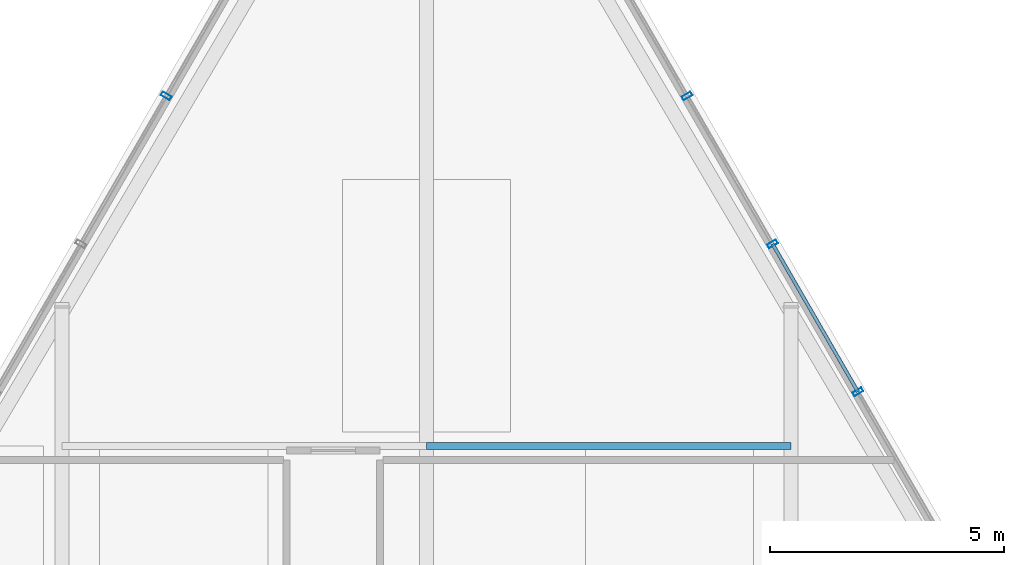
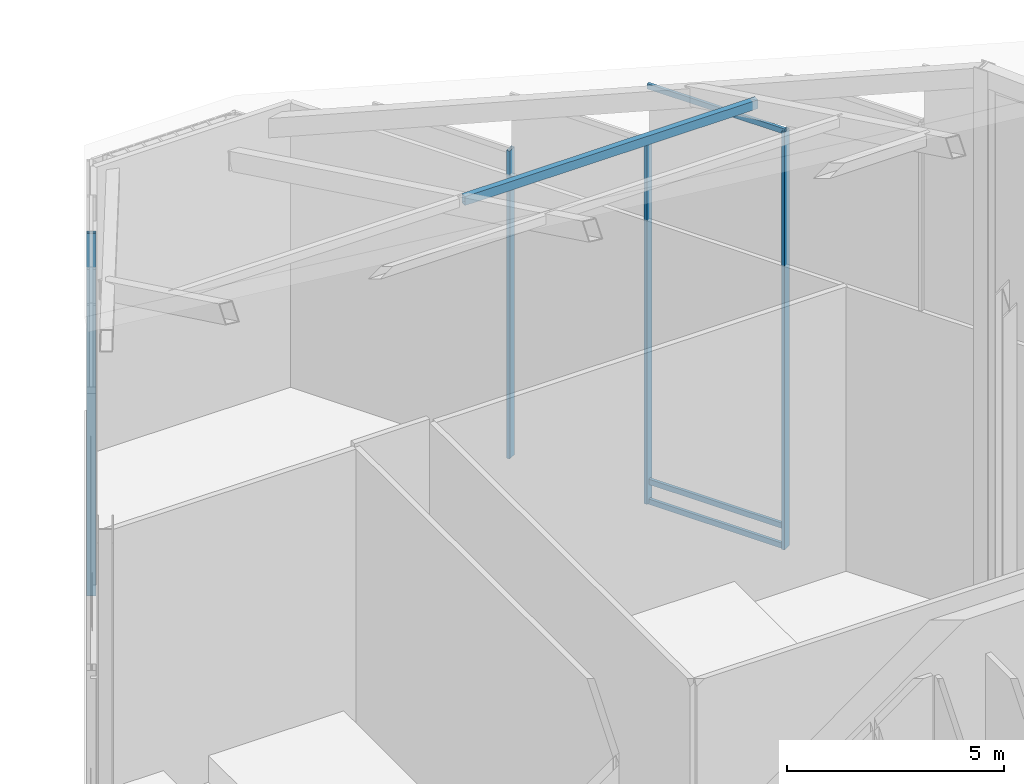
# One storey, part 21 of 36: 8 members, 4 elements without a shape of their own.
"""IFC4 building model written with IfcOpenShell, lengths in metres."""

from ifc_helpers import new_model, si_unit, direction, frame, origin, origin_2d, place, context, subcontext, project, spatial, hollow_rectangle, extrude, material, layer, layer_set, material_profile, profile_set, type_object, element, aggregate, save


model = new_model("IFC4")

# Units and contexts
model_context = context("Model", 3, precision=1e-05, world=origin(), true_north=direction((0.0, 1.0)))
body_context = subcontext(model_context, "Body", "Model", "MODEL_VIEW")
ifc_project = project(units=[si_unit("LENGTHUNIT", "METRE"), si_unit("AREAUNIT", "SQUARE_METRE"), si_unit("VOLUMEUNIT", "CUBIC_METRE"), si_unit("PLANEANGLEUNIT", "RADIAN"), si_unit("MASSUNIT", "GRAM", prefix="KILO")], contexts=[model_context])

# Site, building, storey
site_placement = place(None, origin())
site = spatial("IfcSite", under=ifc_project, at=site_placement, CompositionType="ELEMENT")
building_placement = place(site_placement, origin())
building = spatial("IfcBuilding", under=site, at=building_placement, Name="Ndaravel Arena Tower", CompositionType="ELEMENT")
storey_placement = place(building_placement, frame((0.0, 0.0, 308.10009765625)))
storey = spatial("IfcBuildingStorey", under=building, at=storey_placement, Name="Roof Crown", CompositionType="ELEMENT", Elevation=308.10009765625)

# Member
ifc_material_1 = material(Name="Steel S355", Category="steel")
ifc_material_profile_1 = material_profile(ifc_material_1, hollow_rectangle(XDim=0.14990234375, YDim=0.25, WallThickness=0.010009765625, at=origin_2d()), Name="RHS 250x150x10")
ifc_profile_set_1 = profile_set([ifc_material_profile_1], Name="Steel S355")
member_type_1 = type_object("IfcMemberType", Name="MEM-CRN-PURLIN2", PredefinedType="PURLIN", material=ifc_profile_set_1)
member_1_placement = place(storey_placement, frame((42.0, 29.5, 13.716552734375), z_axis=(1.0, 0.0, 0.0), x_axis=(0.0, 1.0, 0.0)))
element("IfcMember", 1, at=member_1_placement, inside=storey, type_object=member_type_1, Name="Crown Roof Purlin East CRP-B5", PredefinedType="PURLIN", context=body_context, shape_type="SweptSolid", body=[
    extrude(hollow_rectangle(XDim=0.14990234375, YDim=0.25, WallThickness=0.010009765625, at=origin_2d()), origin(), (0.0, 0.0, 1.0), 7.800048828125),
])

# Curtain wall, member
ifc_material_2 = material(Name="Aluminium", Category="aluminium")
ifc_layer = layer(ifc_material_2, 0.179931640625)
ifc_layer_set = layer_set([ifc_layer], Name="Aluminium")
curtain_wall_type = type_object("IfcCurtainWallType", Name="CW-SYS-06", PredefinedType="NOTDEFINED", material=ifc_layer_set)
curtain_wall_1_placement = place(storey_placement, origin())
curtain_wall_1 = element("IfcCurtainWall", 2, at=curtain_wall_1_placement, inside=storey, type_object=curtain_wall_type, Name="Roof Crown Sloped Crown Lantern Curtain Wall CW-CROWN-E03-S08", PredefinedType="NOTDEFINED")
ifc_material_3 = material(Name="Aluminium", Category="aluminium")
ifc_material_profile_2 = material_profile(ifc_material_3, hollow_rectangle(XDim=0.090087890625, YDim=0.219970703125, WallThickness=0.0048828125, at=origin_2d()), Name="CW MULLION 90x220x5")
ifc_profile_set_2 = profile_set([ifc_material_profile_2], Name="Aluminium")
member_type_2 = type_object("IfcMemberType", Name="MEM-CW-MUL220", PredefinedType="MULLION", material=ifc_profile_set_2)
member_2_placement = place(storey_placement, frame((51.234375, 30.65625, 0.0), z_axis=(0.0, 0.0, 1.0), x_axis=(-0.499984884929, 0.866034130299, 0.0)))
member_2 = element("IfcMember", 3, at=member_2_placement, type_object=member_type_2, Name="CW-CROWN-E03-S08 Mullion 00", PredefinedType="MULLION", context=body_context, shape_type="SweptSolid", body=[
    extrude(hollow_rectangle(XDim=0.090087890625, YDim=0.219970703125, WallThickness=0.0048828125, at=origin_2d()), origin(), (0.0, 0.0, 1.0), 11.7529296875),
])

curtain_wall_2_placement = place(storey_placement, origin())
curtain_wall_2 = element("IfcCurtainWall", 4, at=curtain_wall_2_placement, inside=storey, type_object=curtain_wall_type, Name="Roof Crown Sloped Crown Lantern Curtain Wall CW-CROWN-E03-S09", PredefinedType="NOTDEFINED")
member_3_placement = place(storey_placement, frame((49.40576171875, 33.823486328125, 0.0), z_axis=(0.0, 0.0, 1.0), x_axis=(-0.499984884929, 0.866034130299, 0.0)))
member_3 = element("IfcMember", 5, at=member_3_placement, type_object=member_type_2, Name="CW-CROWN-E03-S09 Mullion 00", PredefinedType="MULLION", context=body_context, shape_type="SweptSolid", body=[
    extrude(hollow_rectangle(XDim=0.090087890625, YDim=0.219970703125, WallThickness=0.0048828125, at=origin_2d()), origin(), (0.0, 0.0, 1.0), 10.2080078125),
])
aggregate(curtain_wall_2, [member_3])

curtain_wall_3_placement = place(storey_placement, origin())
curtain_wall_3 = element("IfcCurtainWall", 6, at=curtain_wall_3_placement, inside=storey, type_object=curtain_wall_type, Name="Roof Crown Sloped Crown Lantern Curtain Wall CW-CROWN-E03-S10", PredefinedType="NOTDEFINED")
member_4_placement = place(storey_placement, frame((47.5771484375, 36.99072265625, 0.0), z_axis=(0.0, 0.0, 1.0), x_axis=(-0.500015114919, 0.866016677006, 0.0)))
member_4 = element("IfcMember", 7, at=member_4_placement, type_object=member_type_2, Name="CW-CROWN-E03-S10 Mullion 00", PredefinedType="MULLION", context=body_context, shape_type="SweptSolid", body=[
    extrude(hollow_rectangle(XDim=0.090087890625, YDim=0.219970703125, WallThickness=0.0048828125, at=origin_2d()), origin(), (0.0, 0.0, 1.0), 8.663330078125),
])
aggregate(curtain_wall_3, [member_4])

curtain_wall_4_placement = place(storey_placement, origin())
curtain_wall_4 = element("IfcCurtainWall", 8, at=curtain_wall_4_placement, inside=storey, type_object=curtain_wall_type, Name="Roof Crown Sloped Crown Lantern Curtain Wall CW-CROWN-E05-S03", PredefinedType="NOTDEFINED")
member_5_placement = place(storey_placement, frame((36.4228515625, 36.99072265625, 0.0), z_axis=(0.0, 0.0, 1.0), x_axis=(-0.499984884929, -0.866034130299, 0.0)))
member_5 = element("IfcMember", 9, at=member_5_placement, type_object=member_type_2, Name="CW-CROWN-E05-S03 Mullion 00", PredefinedType="MULLION", context=body_context, shape_type="SweptSolid", body=[
    extrude(hollow_rectangle(XDim=0.090087890625, YDim=0.219970703125, WallThickness=0.0048828125, at=origin_2d()), origin(), (0.0, 0.0, 1.0), 10.2080078125),
])
aggregate(curtain_wall_4, [member_5])

# Member
ifc_material_4 = material(Name="Aluminium", Category="aluminium")
ifc_material_profile_3 = material_profile(ifc_material_4, hollow_rectangle(XDim=0.074951171875, YDim=0.14990234375, WallThickness=0.00390625, at=origin_2d()), Name="CW TRANSOM 75x150x4")
ifc_profile_set_3 = profile_set([ifc_material_profile_3], Name="Aluminium")
member_type_3 = type_object("IfcMemberType", Name="MEM-CW-TRN150", PredefinedType="USERDEFINED", material=ifc_profile_set_3)
member_6_placement = place(storey_placement, frame((51.234375, 30.65625, 0.039794921875), z_axis=(-0.500001750229, 0.866024393287, 0.0), x_axis=(-0.866024393287, -0.500001750229, 0.0)))
member_6 = element("IfcMember", 10, at=member_6_placement, type_object=member_type_3, Name="CW-CROWN-E03-S08 Transom 01", ObjectType="TRANSOM", PredefinedType="USERDEFINED", context=body_context, shape_type="SweptSolid", body=[
    extrude(hollow_rectangle(XDim=0.074951171875, YDim=0.14990234375, WallThickness=0.00390625, at=origin_2d()), origin(), (0.0, 0.0, 1.0), 3.6572265625),
])

member_7_placement = place(storey_placement, frame((51.234375, 30.65625, 0.599853515625), z_axis=(-0.500001750229, 0.866024393287, 0.0), x_axis=(-0.866024393287, -0.500001750229, 0.0)))
member_7 = element("IfcMember", 11, at=member_7_placement, type_object=member_type_3, Name="CW-CROWN-E03-S08 Transom 02", ObjectType="TRANSOM", PredefinedType="USERDEFINED", context=body_context, shape_type="SweptSolid", body=[
    extrude(hollow_rectangle(XDim=0.074951171875, YDim=0.14990234375, WallThickness=0.00390625, at=origin_2d()), origin(), (0.0, 0.0, 1.0), 3.6572265625),
])

member_8_placement = place(storey_placement, frame((51.234375, 30.65625, 11.712890625), z_axis=(-0.500001750229, 0.866024393287, 0.0), x_axis=(-0.866024393287, -0.500001750229, 0.0)))
member_8 = element("IfcMember", 12, at=member_8_placement, type_object=member_type_3, Name="CW-CROWN-E03-S08 Transom 03", ObjectType="TRANSOM", PredefinedType="USERDEFINED", context=body_context, shape_type="SweptSolid", body=[
    extrude(hollow_rectangle(XDim=0.074951171875, YDim=0.14990234375, WallThickness=0.00390625, at=origin_2d()), origin(), (0.0, 0.0, 1.0), 3.6572265625),
])

aggregate(curtain_wall_1, [member_2, member_6, member_7, member_8])

save(model, "model.ifc")
